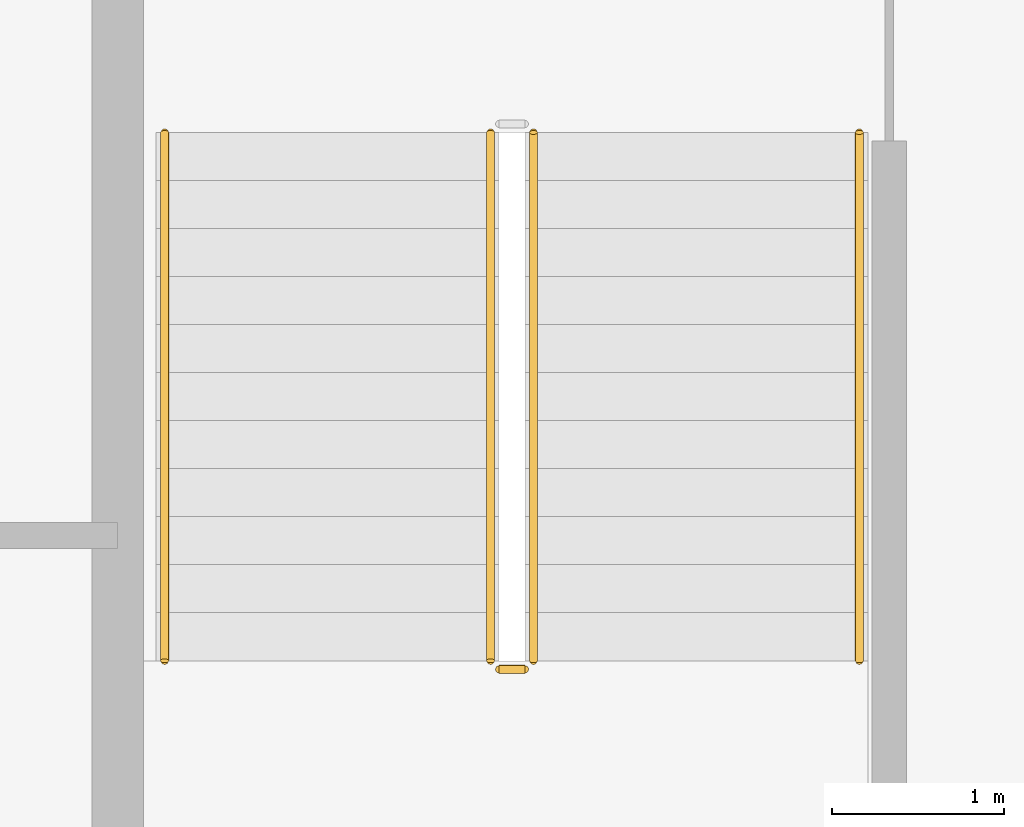
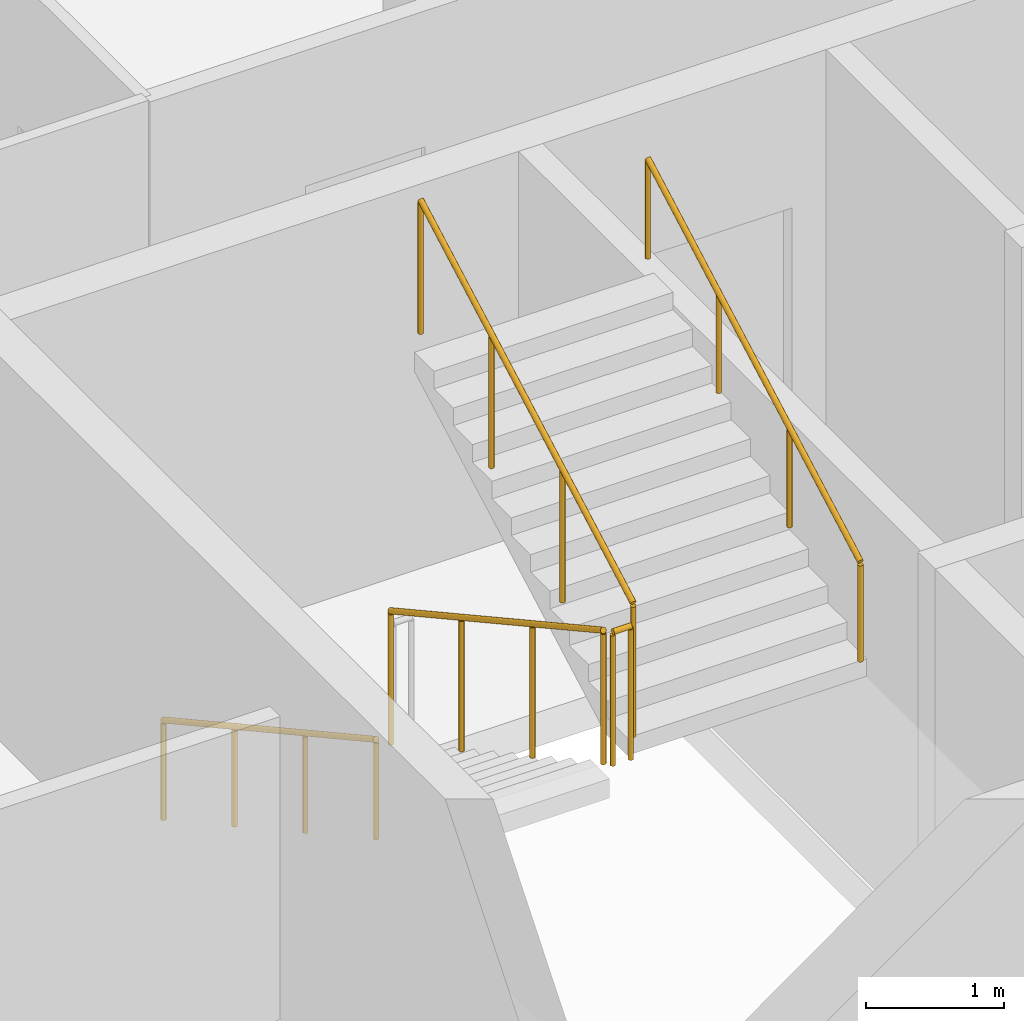
# One storey, part 9 of 11: 5 railings.
"""IFC4 building model written with IfcOpenShell, lengths in metres."""

from ifc_helpers import new_model, si_unit, direction, frame, origin, origin_2d, place, context, subcontext, project, spatial, circle, extrude, material, type_object, element, save


model = new_model("IFC4")

# Units and contexts
model_context = context("Model", 3, precision=1e-05, world=origin(), true_north=direction((0.0, 1.0)))
body_context = subcontext(model_context, "Body", "Model", "MODEL_VIEW")
ifc_project = project(units=[si_unit("LENGTHUNIT", "METRE"), si_unit("AREAUNIT", "SQUARE_METRE"), si_unit("VOLUMEUNIT", "CUBIC_METRE"), si_unit("PLANEANGLEUNIT", "RADIAN"), si_unit("MASSUNIT", "GRAM", prefix="KILO")], contexts=[model_context])

# Site, building, storey
site_placement = place(None, origin())
site = spatial("IfcSite", under=ifc_project, at=site_placement, CompositionType="ELEMENT")
building_placement = place(site_placement, origin())
building = spatial("IfcBuilding", under=site, at=building_placement, Name="Caravel Reach Hotel and Residences", CompositionType="ELEMENT")
storey_placement = place(building_placement, frame((0.0, 0.0, 263.800048828125)))
storey = spatial("IfcBuildingStorey", under=building, at=storey_placement, Name="L67", CompositionType="ELEMENT", Elevation=263.800048828125)

# Railings
ifc_material_1 = material(Name="Steel balustrade with glass infill", Category="steel")
railing_type_1 = type_object("IfcRailingType", Name="Guard 1200", PredefinedType="GUARDRAIL", material=ifc_material_1)
railing_1_placement = place(storey_placement, frame((20.175048828125, 29.35009765625, 0.154052734375)))
element("IfcRailing", 1, at=railing_1_placement, inside=storey, type_object=railing_type_1, Name="L67 ST-A stair guard 1", PredefinedType="GUARDRAIL", context=body_context, shape_type="SweptSolid", body=[
    extrude(circle(Radius=0.02392578125, at=origin_2d()), frame((0.0, 0.0, 1.17578125), z_axis=(0.0, -0.876004717809, 0.482302534076), x_axis=(1.0, 0.0, 0.0)), (0.0, 0.0, 1.0), 3.51611328125),
    extrude(circle(Radius=0.02099609375, at=origin_2d()), origin(), (0.0, 0.0, 1.0), 1.15185546875),
    extrude(circle(Radius=0.02099609375, at=origin_2d()), frame((0.0, -1.026611328125, 0.565185546875)), (0.0, 0.0, 1.0), 1.15185546875),
    extrude(circle(Radius=0.02099609375, at=origin_2d()), frame((0.0, -2.053466796875, 1.130615234375)), (0.0, 0.0, 1.0), 1.15185546875),
    extrude(circle(Radius=0.02099609375, at=origin_2d()), frame((0.0, -3.080078125, 1.69580078125)), (0.0, 0.0, 1.0), 1.15185546875),
])
railing_2_placement = place(storey_placement, frame((20.22509765625, 26.219970703125, 1.849853515625)))
element("IfcRailing", 2, at=railing_2_placement, inside=storey, type_object=railing_type_1, Name="L67 ST-A stair guard 2", PredefinedType="GUARDRAIL", context=body_context, shape_type="SweptSolid", body=[
    extrude(circle(Radius=0.02392578125, at=origin_2d()), frame((0.0, 0.0, 1.17578125), z_axis=(1.0, 0.0, 0.0), x_axis=(0.0, 1.0, 0.0)), (0.0, 0.0, 1.0), 0.14990234375),
    extrude(circle(Radius=0.02099609375, at=origin_2d()), origin(), (0.0, 0.0, 1.0), 1.15185546875),
    extrude(circle(Radius=0.02099609375, at=origin_2d()), frame((0.14990234375, 0.0, 0.0)), (0.0, 0.0, 1.0), 1.15185546875),
])
railing_3_placement = place(storey_placement, frame((20.425048828125, 26.27001953125, 2.004150390625)))
element("IfcRailing", 3, at=railing_3_placement, inside=storey, type_object=railing_type_1, Name="L67 ST-A stair guard 3", PredefinedType="GUARDRAIL", context=body_context, shape_type="SweptSolid", body=[
    extrude(circle(Radius=0.02392578125, at=origin_2d()), frame((0.0, 0.0, 1.17578125), z_axis=(0.0, 0.876004717809, 0.482302534076), x_axis=(-1.0, 0.0, 0.0)), (0.0, 0.0, 1.0), 3.51611328125),
    extrude(circle(Radius=0.02099609375, at=origin_2d()), origin(), (0.0, 0.0, 1.0), 1.15185546875),
    extrude(circle(Radius=0.02099609375, at=origin_2d()), frame((0.0, 1.026611328125, 0.565185546875)), (0.0, 0.0, 1.0), 1.15185546875),
    extrude(circle(Radius=0.02099609375, at=origin_2d()), frame((0.0, 2.053466796875, 1.130615234375)), (0.0, 0.0, 1.0), 1.15185546875),
    extrude(circle(Radius=0.02099609375, at=origin_2d()), frame((0.0, 3.080078125, 1.69580078125)), (0.0, 0.0, 1.0), 1.15185546875),
])
ifc_material_2 = material(Name="Stainless steel handrail", Category="steel")
railing_type_2 = type_object("IfcRailingType", Name="Handrail 900", PredefinedType="HANDRAIL", material=ifc_material_2)
railing_4_placement = place(storey_placement, frame((18.27490234375, 29.35009765625, 0.154052734375)))
element("IfcRailing", 4, at=railing_4_placement, inside=storey, type_object=railing_type_2, Name="L67 ST-A stair handrail 1", PredefinedType="HANDRAIL", context=body_context, shape_type="SweptSolid", body=[
    extrude(circle(Radius=0.02392578125, at=origin_2d()), frame((0.0, 0.0, 0.8759765625), z_axis=(0.0, -0.876004717809, 0.482302534076), x_axis=(1.0, 0.0, 0.0)), (0.0, 0.0, 1.0), 3.51611328125),
    extrude(circle(Radius=0.02099609375, at=origin_2d()), origin(), (0.0, 0.0, 1.0), 0.851806640625),
    extrude(circle(Radius=0.02099609375, at=origin_2d()), frame((0.0, -1.026611328125, 0.565185546875)), (0.0, 0.0, 1.0), 0.851806640625),
    extrude(circle(Radius=0.02099609375, at=origin_2d()), frame((0.0, -2.053466796875, 1.130615234375)), (0.0, 0.0, 1.0), 0.851806640625),
    extrude(circle(Radius=0.02099609375, at=origin_2d()), frame((0.0, -3.080078125, 1.69580078125)), (0.0, 0.0, 1.0), 0.851806640625),
])
railing_5_placement = place(storey_placement, frame((22.324951171875, 26.27001953125, 2.004150390625)))
element("IfcRailing", 5, at=railing_5_placement, inside=storey, type_object=railing_type_2, Name="L67 ST-A stair handrail 2", PredefinedType="HANDRAIL", context=body_context, shape_type="SweptSolid", body=[
    extrude(circle(Radius=0.02392578125, at=origin_2d()), frame((0.0, 0.0, 0.8759765625), z_axis=(0.0, 0.876004717809, 0.482302534076), x_axis=(-1.0, 0.0, 0.0)), (0.0, 0.0, 1.0), 3.51611328125),
    extrude(circle(Radius=0.02099609375, at=origin_2d()), origin(), (0.0, 0.0, 1.0), 0.851806640625),
    extrude(circle(Radius=0.02099609375, at=origin_2d()), frame((0.0, 1.026611328125, 0.565185546875)), (0.0, 0.0, 1.0), 0.851806640625),
    extrude(circle(Radius=0.02099609375, at=origin_2d()), frame((0.0, 2.053466796875, 1.130615234375)), (0.0, 0.0, 1.0), 0.851806640625),
    extrude(circle(Radius=0.02099609375, at=origin_2d()), frame((0.0, 3.080078125, 1.69580078125)), (0.0, 0.0, 1.0), 0.851806640625),
])

save(model, "model.ifc")
